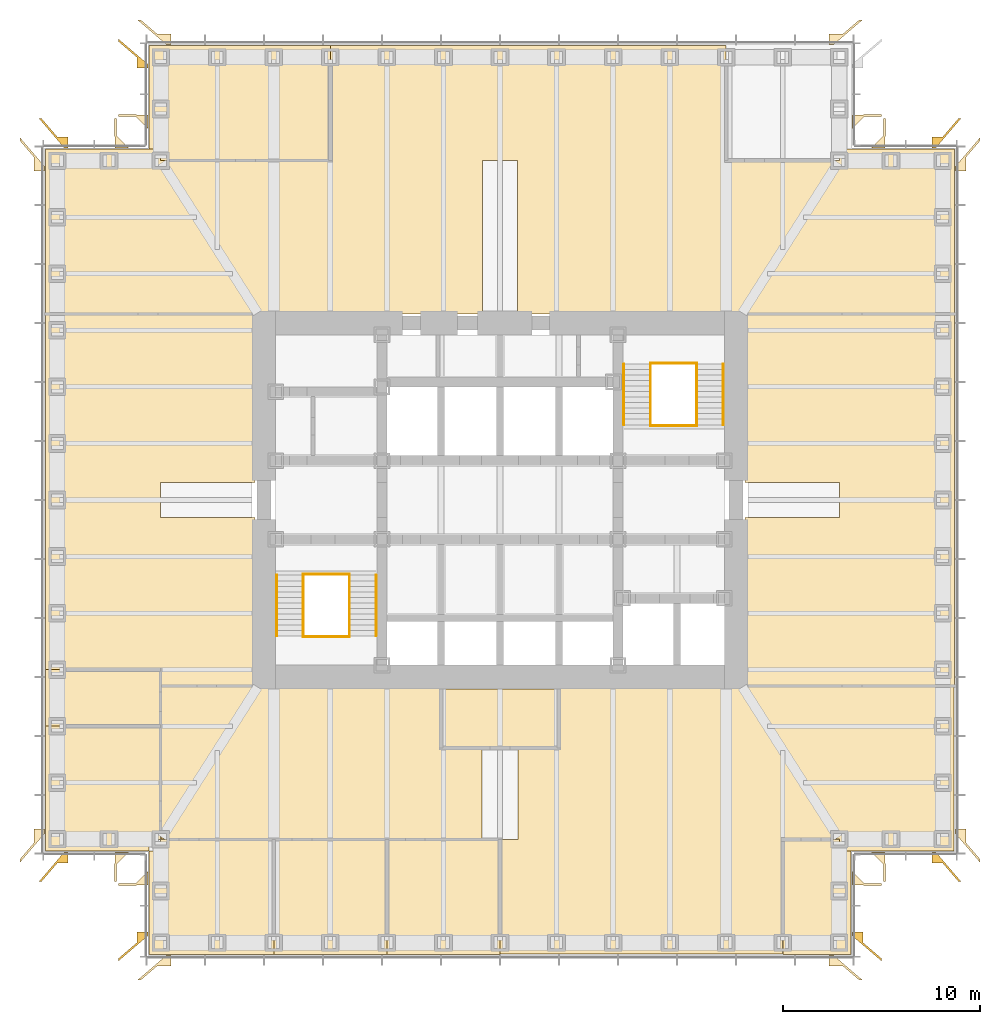
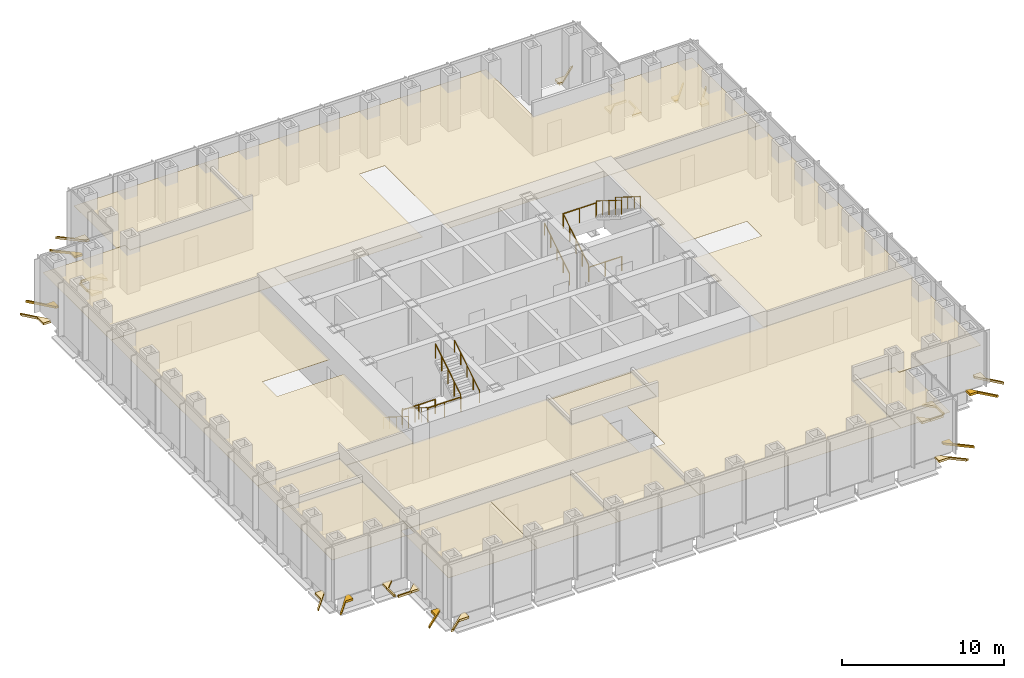
# One storey, part 16 of 17: 35 coverings, 12 railings.
"""IFC4 building model written with IfcOpenShell, lengths in metres."""

from ifc_helpers import new_model, si_unit, direction, frame, origin, origin_2d, place, context, subcontext, project, spatial, polyline, circle, outline, extrude, material, layer, layer_set, type_object, element, save


model = new_model("IFC4")

# Units and contexts
model_context = context("Model", 3, precision=1e-05, world=origin(), true_north=direction((0.0, 1.0)))
body_context = subcontext(model_context, "Body", "Model", "MODEL_VIEW")
ifc_project = project(units=[si_unit("LENGTHUNIT", "METRE"), si_unit("AREAUNIT", "SQUARE_METRE"), si_unit("VOLUMEUNIT", "CUBIC_METRE"), si_unit("PLANEANGLEUNIT", "RADIAN"), si_unit("MASSUNIT", "GRAM", prefix="KILO")], contexts=[model_context])

# Site, building, storey
site_placement = place(None, origin())
site = spatial("IfcSite", under=ifc_project, at=site_placement, CompositionType="ELEMENT")
building_placement = place(site_placement, origin())
building = spatial("IfcBuilding", under=site, at=building_placement, Name="Daluyong Arena Tower", CompositionType="ELEMENT")
storey_placement = place(building_placement, frame((0.0, 0.0, 112.300048828125)))
storey = spatial("IfcBuildingStorey", under=building, at=storey_placement, Name="L24", CompositionType="ELEMENT", Elevation=112.300048828125)

# Coverings
ifc_material_1 = material(Name="Mineral fibre ceiling tile", Category="gypsum board")
ifc_layer_1 = layer(ifc_material_1, 0.02001953125)
ifc_layer_set_1 = layer_set([ifc_layer_1], Name="Mineral fibre ceiling tile")
covering_type_1 = type_object("IfcCoveringType", Name="Office ceiling", PredefinedType="CEILING", material=ifc_layer_set_1)
covering_1_placement = place(storey_placement, frame((0.0, 0.0, 2.89990234375)))
element("IfcCovering", 1, at=covering_1_placement, inside=storey, type_object=covering_type_1, Name="ceiling L24-01", PredefinedType="CEILING", context=body_context, shape_type="SweptSolid", body=[
    extrude(outline(polyline([(38.14990234375, 62.14990234375), (38.14990234375, 56.89990234375), (44.5, 56.89990234375), (44.5, 62.75), (38.75, 62.75), (38.75, 62.14990234375), (38.14990234375, 62.14990234375)])), origin(), (0.0, 0.0, 1.0), 0.02001953125),
])
covering_2_placement = place(storey_placement, frame((0.0, 0.0, 2.89990234375)))
element("IfcCovering", 2, at=covering_2_placement, inside=storey, type_object=covering_type_1, Name="ceiling L24-02", PredefinedType="CEILING", context=body_context, shape_type="SweptSolid", body=[
    extrude(outline(polyline([(44.5, 62.75), (44.5, 56.89990234375), (50.25, 56.89990234375), (50.25, 62.75), (44.5, 62.75)])), origin(), (0.0, 0.0, 1.0), 0.02001953125),
])
covering_3_placement = place(storey_placement, frame((0.0, 0.0, 2.89990234375)))
element("IfcCovering", 3, at=covering_3_placement, inside=storey, type_object=covering_type_1, Name="ceiling L24-03", PredefinedType="CEILING", context=body_context, shape_type="SweptSolid", body=[
    extrude(outline(polyline([(50.25, 62.75), (50.25, 56.89990234375), (56.0, 56.89990234375), (56.0, 62.75), (50.25, 62.75)])), origin(), (0.0, 0.0, 1.0), 0.02001953125),
])
covering_4_placement = place(storey_placement, frame((0.0, 0.0, 2.89990234375)))
element("IfcCovering", 4, at=covering_4_placement, inside=storey, type_object=covering_type_1, Name="ceiling L24-04", PredefinedType="CEILING", context=body_context, shape_type="SweptSolid", body=[
    extrude(outline(polyline([(73.85009765625, 56.89990234375), (73.85009765625, 62.14990234375), (73.25, 62.14990234375), (73.25, 62.75), (70.375, 62.75), (70.375, 56.89990234375), (73.85009765625, 56.89990234375)])), origin(), (0.0, 0.0, 1.0), 0.02001953125),
])
covering_5_placement = place(storey_placement, frame((0.0, 0.0, 2.89990234375)))
element("IfcCovering", 5, at=covering_5_placement, inside=storey, type_object=covering_type_1, Name="ceiling L24-05", PredefinedType="CEILING", context=body_context, shape_type="SweptSolid", body=[
    extrude(outline(polyline([(47.375, 97.25), (47.375, 103.10009765625), (38.14990234375, 103.10009765625), (38.14990234375, 97.85009765625), (38.75, 97.85009765625), (38.75, 97.25), (47.375, 97.25)])), origin(), (0.0, 0.0, 1.0), 0.02001953125),
])
covering_6_placement = place(storey_placement, frame((0.0, 0.0, 2.89990234375)))
element("IfcCovering", 6, at=covering_6_placement, inside=storey, type_object=covering_type_1, Name="ceiling L24-07", PredefinedType="CEILING", context=body_context, shape_type="SweptSolid", body=[
    extrude(outline(polyline([(32.89990234375, 62.14990234375), (38.14990234375, 62.14990234375), (38.14990234375, 62.75), (38.75, 62.75), (38.75, 68.5), (32.89990234375, 68.5), (32.89990234375, 62.14990234375)])), origin(), (0.0, 0.0, 1.0), 0.02001953125),
])
covering_7_placement = place(storey_placement, frame((0.0, 0.0, 2.89990234375)))
element("IfcCovering", 7, at=covering_7_placement, inside=storey, type_object=covering_type_1, Name="ceiling L24-08", PredefinedType="CEILING", context=body_context, shape_type="SweptSolid", body=[
    extrude(outline(polyline([(38.75, 71.375), (32.89990234375, 71.375), (32.89990234375, 68.5), (38.75, 68.5), (38.75, 71.375)])), origin(), (0.0, 0.0, 1.0), 0.02001953125),
])
covering_8_placement = place(storey_placement, frame((0.0, 0.0, 2.89990234375)))
element("IfcCovering", 8, at=covering_8_placement, inside=storey, type_object=covering_type_1, Name="ceiling L24-09", PredefinedType="CEILING", context=body_context, shape_type="SweptSolid", body=[
    extrude(outline(polyline([(53.0, 67.39990234375), (59.0, 67.39990234375), (59.0, 70.39990234375), (53.0, 70.39990234375), (53.0, 67.39990234375)])), origin(), (0.0, 0.0, 1.0), 0.02001953125),
])
covering_9_placement = place(storey_placement, frame((0.0, 0.0, 2.89990234375)))
element("IfcCovering", 9, at=covering_9_placement, inside=storey, type_object=covering_type_1, Name="ceiling L24-14", PredefinedType="CEILING", context=body_context, shape_type="SweptSolid", body=[
    extrude(outline(polyline([(38.760009765625, 62.760009765625), (55.090087890625, 62.760009765625), (55.090087890625, 67.389892578125), (52.989990234375, 67.389892578125), (52.989990234375, 70.409912109375), (59.010009765625, 70.409912109375), (59.010009765625, 67.389892578125), (56.909912109375, 67.389892578125), (56.909912109375, 62.739990234375), (56.010009765625, 62.739990234375), (56.010009765625, 56.909912109375), (70.364990234375, 56.909912109375), (70.364990234375, 62.760009765625), (73.260009765625, 62.760009765625), (73.260009765625, 62.159912109375), (79.090087890625, 62.159912109375), (79.090087890625, 70.5400390625), (38.760009765625, 70.5400390625), (38.760009765625, 62.760009765625)])), origin(), (0.0, 0.0, 1.0), 0.02001953125),
])
covering_10_placement = place(storey_placement, frame((0.0, 0.0, 2.89990234375)))
element("IfcCovering", 10, at=covering_10_placement, inside=storey, type_object=covering_type_1, Name="ceiling L24-15", PredefinedType="CEILING", context=body_context, shape_type="SweptSolid", body=[
    extrude(outline(polyline([(79.10009765625, 70.550048828125), (79.10009765625, 89.449951171875), (68.449951171875, 89.449951171875), (68.449951171875, 80.89990234375), (73.25, 80.89990234375), (73.25, 79.10009765625), (68.449951171875, 79.10009765625), (68.449951171875, 70.550048828125), (79.10009765625, 70.550048828125)])), origin(), (0.0, 0.0, 1.0), 0.02001953125),
])
covering_11_placement = place(storey_placement, frame((0.0, 0.0, 2.89990234375)))
element("IfcCovering", 11, at=covering_11_placement, inside=storey, type_object=covering_type_1, Name="ceiling L24-16", PredefinedType="CEILING", context=body_context, shape_type="SweptSolid", body=[
    extrude(outline(polyline([(47.375, 103.10009765625), (47.375, 97.25), (38.75, 97.25), (38.75, 97.85009765625), (32.89990234375, 97.85009765625), (32.89990234375, 89.449951171875), (55.10009765625, 89.449951171875), (55.10009765625, 97.25), (56.89990234375, 97.25), (56.89990234375, 89.449951171875), (79.10009765625, 89.449951171875), (79.10009765625, 97.85009765625), (73.25, 97.85009765625), (73.25, 97.25), (67.5, 97.25), (67.5, 103.10009765625), (47.375, 103.10009765625)])), origin(), (0.0, 0.0, 1.0), 0.02001953125),
])
covering_12_placement = place(storey_placement, frame((0.0, 0.0, 2.89990234375)))
element("IfcCovering", 12, at=covering_12_placement, inside=storey, type_object=covering_type_1, Name="ceiling L24-17", PredefinedType="CEILING", context=body_context, shape_type="SweptSolid", body=[
    extrude(outline(polyline([(38.75, 71.375), (38.75, 70.550048828125), (43.550048828125, 70.550048828125), (43.550048828125, 79.10009765625), (38.75, 79.10009765625), (38.75, 80.89990234375), (43.550048828125, 80.89990234375), (43.550048828125, 89.449951171875), (32.89990234375, 89.449951171875), (32.89990234375, 71.375), (38.75, 71.375)])), origin(), (0.0, 0.0, 1.0), 0.02001953125),
])

# Railings
ifc_material_2 = material(Name="Stainless steel handrail", Category="steel")
railing_type_1 = type_object("IfcRailingType", Name="Stair handrail", PredefinedType="HANDRAIL", material=ifc_material_2)
railing_1_placement = place(storey_placement, frame((44.64990234375, 76.175048828125, 0.175048828125)))
element("IfcRailing", 13, at=railing_1_placement, inside=storey, type_object=railing_type_1, Name="exit stair A handrail L24", PredefinedType="HANDRAIL", context=body_context, shape_type="SweptSolid", body=[
    extrude(circle(Radius=0.02392578125, at=origin_2d()), frame((0.0, 0.0, 0.8759765625), z_axis=(0.0, -0.848028513186, 0.529950602248), x_axis=(1.0, 0.0, 0.0)), (0.0, 0.0, 1.0), 3.632080078125),
    extrude(circle(Radius=0.02099609375, at=origin_2d()), origin(), (0.0, 0.0, 1.0), 0.851806640625),
    extrude(circle(Radius=0.02099609375, at=origin_2d()), frame((0.0, -0.77001953125, 0.481201171875)), (0.0, 0.0, 1.0), 0.851806640625),
    extrude(circle(Radius=0.02099609375, at=origin_2d()), frame((0.0, -1.5400390625, 0.96240234375)), (0.0, 0.0, 1.0), 0.851806640625),
    extrude(circle(Radius=0.02099609375, at=origin_2d()), frame((0.0, -2.31005859375, 1.443603515625)), (0.0, 0.0, 1.0), 0.851806640625),
    extrude(circle(Radius=0.02099609375, at=origin_2d()), frame((0.0, -3.080078125, 1.9248046875)), (0.0, 0.0, 1.0), 0.851806640625),
])
railing_2_placement = place(storey_placement, frame((49.699951171875, 73.094970703125, 2.27490234375)))
element("IfcRailing", 14, at=railing_2_placement, inside=storey, type_object=railing_type_1, Name="exit stair A handrail L24", PredefinedType="HANDRAIL", context=body_context, shape_type="SweptSolid", body=[
    extrude(circle(Radius=0.02392578125, at=origin_2d()), frame((0.0, 0.0, 0.8759765625), z_axis=(0.0, 0.847998304005, 0.529998940003), x_axis=(-1.0, 0.0, 0.0)), (0.0, 0.0, 1.0), 3.632080078125),
    extrude(circle(Radius=0.02099609375, at=origin_2d()), origin(), (0.0, 0.0, 1.0), 0.851806640625),
    extrude(circle(Radius=0.02099609375, at=origin_2d()), frame((0.0, 0.77001953125, 0.481201171875)), (0.0, 0.0, 1.0), 0.851806640625),
    extrude(circle(Radius=0.02099609375, at=origin_2d()), frame((0.0, 1.5400390625, 0.96240234375)), (0.0, 0.0, 1.0), 0.851806640625),
    extrude(circle(Radius=0.02099609375, at=origin_2d()), frame((0.0, 2.31005859375, 1.44384765625)), (0.0, 0.0, 1.0), 0.851806640625),
    extrude(circle(Radius=0.02099609375, at=origin_2d()), frame((0.0, 3.080078125, 1.925048828125)), (0.0, 0.0, 1.0), 0.851806640625),
])
railing_3_placement = place(storey_placement, frame((62.300048828125, 83.824951171875, 0.175048828125)))
element("IfcRailing", 15, at=railing_3_placement, inside=storey, type_object=railing_type_1, Name="exit stair B handrail L24", PredefinedType="HANDRAIL", context=body_context, shape_type="SweptSolid", body=[
    extrude(circle(Radius=0.02392578125, at=origin_2d()), frame((0.0, 0.0, 0.8759765625), z_axis=(0.0, 0.848028513186, 0.529950602248), x_axis=(-1.0, 0.0, 0.0)), (0.0, 0.0, 1.0), 3.632080078125),
    extrude(circle(Radius=0.02099609375, at=origin_2d()), origin(), (0.0, 0.0, 1.0), 0.851806640625),
    extrude(circle(Radius=0.02099609375, at=origin_2d()), frame((0.0, 0.77001953125, 0.481201171875)), (0.0, 0.0, 1.0), 0.851806640625),
    extrude(circle(Radius=0.02099609375, at=origin_2d()), frame((0.0, 1.5400390625, 0.96240234375)), (0.0, 0.0, 1.0), 0.851806640625),
    extrude(circle(Radius=0.02099609375, at=origin_2d()), frame((0.0, 2.31005859375, 1.443603515625)), (0.0, 0.0, 1.0), 0.851806640625),
    extrude(circle(Radius=0.02099609375, at=origin_2d()), frame((0.0, 3.080078125, 1.9248046875)), (0.0, 0.0, 1.0), 0.851806640625),
])
railing_4_placement = place(storey_placement, frame((67.35009765625, 86.905029296875, 2.27490234375)))
element("IfcRailing", 16, at=railing_4_placement, inside=storey, type_object=railing_type_1, Name="exit stair B handrail L24", PredefinedType="HANDRAIL", context=body_context, shape_type="SweptSolid", body=[
    extrude(circle(Radius=0.02392578125, at=origin_2d()), frame((0.0, 0.0, 0.8759765625), z_axis=(0.0, -0.847998304005, 0.529998940003), x_axis=(1.0, 0.0, 0.0)), (0.0, 0.0, 1.0), 3.632080078125),
    extrude(circle(Radius=0.02099609375, at=origin_2d()), origin(), (0.0, 0.0, 1.0), 0.851806640625),
    extrude(circle(Radius=0.02099609375, at=origin_2d()), frame((0.0, -0.77001953125, 0.481201171875)), (0.0, 0.0, 1.0), 0.851806640625),
    extrude(circle(Radius=0.02099609375, at=origin_2d()), frame((0.0, -1.5400390625, 0.96240234375)), (0.0, 0.0, 1.0), 0.851806640625),
    extrude(circle(Radius=0.02099609375, at=origin_2d()), frame((0.0, -2.31005859375, 1.44384765625)), (0.0, 0.0, 1.0), 0.851806640625),
    extrude(circle(Radius=0.02099609375, at=origin_2d()), frame((0.0, -3.080078125, 1.925048828125)), (0.0, 0.0, 1.0), 0.851806640625),
])
ifc_material_3 = material(Name="Steel balustrade", Category="steel")
railing_type_2 = type_object("IfcRailingType", Name="Stair well guard 1100", PredefinedType="GUARDRAIL", material=ifc_material_3)
railing_5_placement = place(storey_placement, frame((46.0, 76.175048828125, 0.175048828125)))
element("IfcRailing", 17, at=railing_5_placement, inside=storey, type_object=railing_type_2, Name="exit stair A well guard L24", PredefinedType="GUARDRAIL", context=body_context, shape_type="SweptSolid", body=[
    extrude(circle(Radius=0.02392578125, at=origin_2d()), frame((0.0, 0.0, 1.076171875), z_axis=(0.0, -0.848028513186, 0.529950602248), x_axis=(1.0, 0.0, 0.0)), (0.0, 0.0, 1.0), 3.632080078125),
    extrude(circle(Radius=0.02099609375, at=origin_2d()), origin(), (0.0, 0.0, 1.0), 1.052001953125),
    extrude(circle(Radius=0.02099609375, at=origin_2d()), frame((0.0, -0.77001953125, 0.481201171875)), (0.0, 0.0, 1.0), 1.052001953125),
    extrude(circle(Radius=0.02099609375, at=origin_2d()), frame((0.0, -1.5400390625, 0.96240234375)), (0.0, 0.0, 1.0), 1.052001953125),
    extrude(circle(Radius=0.02099609375, at=origin_2d()), frame((0.0, -2.31005859375, 1.443603515625)), (0.0, 0.0, 1.0), 1.052001953125),
    extrude(circle(Radius=0.02099609375, at=origin_2d()), frame((0.0, -3.080078125, 1.9248046875)), (0.0, 0.0, 1.0), 1.052001953125),
])
railing_6_placement = place(storey_placement, frame((48.35009765625, 73.094970703125, 2.27490234375)))
element("IfcRailing", 18, at=railing_6_placement, inside=storey, type_object=railing_type_2, Name="exit stair A well guard L24", PredefinedType="GUARDRAIL", context=body_context, shape_type="SweptSolid", body=[
    extrude(circle(Radius=0.02392578125, at=origin_2d()), frame((0.0, 0.0, 1.076171875), z_axis=(0.0, 0.847998304005, 0.529998940003), x_axis=(-1.0, 0.0, 0.0)), (0.0, 0.0, 1.0), 3.632080078125),
    extrude(circle(Radius=0.02099609375, at=origin_2d()), origin(), (0.0, 0.0, 1.0), 1.052001953125),
    extrude(circle(Radius=0.02099609375, at=origin_2d()), frame((0.0, 0.77001953125, 0.481201171875)), (0.0, 0.0, 1.0), 1.052001953125),
    extrude(circle(Radius=0.02099609375, at=origin_2d()), frame((0.0, 1.5400390625, 0.96240234375)), (0.0, 0.0, 1.0), 1.052001953125),
    extrude(circle(Radius=0.02099609375, at=origin_2d()), frame((0.0, 2.31005859375, 1.44384765625)), (0.0, 0.0, 1.0), 1.052001953125),
    extrude(circle(Radius=0.02099609375, at=origin_2d()), frame((0.0, 3.080078125, 1.925048828125)), (0.0, 0.0, 1.0), 1.052001953125),
])
for number, where, name in (
    (19, (46.0, 73.044921875, 2.099853515625), "exit stair A landing guard L24"),
    (20, (46.0, 76.22509765625, 0.0), "exit stair A floor landing guard L24"),
):
    element("IfcRailing", number, at=place(storey_placement, frame(where)), inside=storey, type_object=railing_type_2, Name=name, PredefinedType="GUARDRAIL", context=body_context, shape_type="SweptSolid", body=[
        extrude(circle(Radius=0.02392578125, at=origin_2d()), frame((0.0, 0.0, 1.076171875), z_axis=(1.0, 0.0, 0.0), x_axis=(0.0, 1.0, 0.0)), (0.0, 0.0, 1.0), 2.35009765625),
        extrude(circle(Radius=0.02099609375, at=origin_2d()), origin(), (0.0, 0.0, 1.0), 1.052001953125),
        extrude(circle(Radius=0.02099609375, at=origin_2d()), frame((1.175048828125, 0.0, 0.0)), (0.0, 0.0, 1.0), 1.052001953125),
        extrude(circle(Radius=0.02099609375, at=origin_2d()), frame((2.35009765625, 0.0, 0.0)), (0.0, 0.0, 1.0), 1.052001953125),
    ])
railing_7_placement = place(storey_placement, frame((63.64990234375, 83.824951171875, 0.175048828125)))
element("IfcRailing", 21, at=railing_7_placement, inside=storey, type_object=railing_type_2, Name="exit stair B well guard L24", PredefinedType="GUARDRAIL", context=body_context, shape_type="SweptSolid", body=[
    extrude(circle(Radius=0.02392578125, at=origin_2d()), frame((0.0, 0.0, 1.076171875), z_axis=(0.0, 0.848028513186, 0.529950602248), x_axis=(-1.0, 0.0, 0.0)), (0.0, 0.0, 1.0), 3.632080078125),
    extrude(circle(Radius=0.02099609375, at=origin_2d()), origin(), (0.0, 0.0, 1.0), 1.052001953125),
    extrude(circle(Radius=0.02099609375, at=origin_2d()), frame((0.0, 0.77001953125, 0.481201171875)), (0.0, 0.0, 1.0), 1.052001953125),
    extrude(circle(Radius=0.02099609375, at=origin_2d()), frame((0.0, 1.5400390625, 0.96240234375)), (0.0, 0.0, 1.0), 1.052001953125),
    extrude(circle(Radius=0.02099609375, at=origin_2d()), frame((0.0, 2.31005859375, 1.443603515625)), (0.0, 0.0, 1.0), 1.052001953125),
    extrude(circle(Radius=0.02099609375, at=origin_2d()), frame((0.0, 3.080078125, 1.9248046875)), (0.0, 0.0, 1.0), 1.052001953125),
])
railing_8_placement = place(storey_placement, frame((66.0, 86.905029296875, 2.27490234375)))
element("IfcRailing", 22, at=railing_8_placement, inside=storey, type_object=railing_type_2, Name="exit stair B well guard L24", PredefinedType="GUARDRAIL", context=body_context, shape_type="SweptSolid", body=[
    extrude(circle(Radius=0.02392578125, at=origin_2d()), frame((0.0, 0.0, 1.076171875), z_axis=(0.0, -0.847998304005, 0.529998940003), x_axis=(1.0, 0.0, 0.0)), (0.0, 0.0, 1.0), 3.632080078125),
    extrude(circle(Radius=0.02099609375, at=origin_2d()), origin(), (0.0, 0.0, 1.0), 1.052001953125),
    extrude(circle(Radius=0.02099609375, at=origin_2d()), frame((0.0, -0.77001953125, 0.481201171875)), (0.0, 0.0, 1.0), 1.052001953125),
    extrude(circle(Radius=0.02099609375, at=origin_2d()), frame((0.0, -1.5400390625, 0.96240234375)), (0.0, 0.0, 1.0), 1.052001953125),
    extrude(circle(Radius=0.02099609375, at=origin_2d()), frame((0.0, -2.31005859375, 1.44384765625)), (0.0, 0.0, 1.0), 1.052001953125),
    extrude(circle(Radius=0.02099609375, at=origin_2d()), frame((0.0, -3.080078125, 1.925048828125)), (0.0, 0.0, 1.0), 1.052001953125),
])
for number, where, name in (
    (23, (63.64990234375, 86.955078125, 2.099853515625), "exit stair B landing guard L24"),
    (24, (63.64990234375, 83.77490234375, 0.0), "exit stair B floor landing guard L24"),
):
    element("IfcRailing", number, at=place(storey_placement, frame(where)), inside=storey, type_object=railing_type_2, Name=name, PredefinedType="GUARDRAIL", context=body_context, shape_type="SweptSolid", body=[
        extrude(circle(Radius=0.02392578125, at=origin_2d()), frame((0.0, 0.0, 1.076171875), z_axis=(1.0, 0.0, 0.0), x_axis=(0.0, 1.0, 0.0)), (0.0, 0.0, 1.0), 2.35009765625),
        extrude(circle(Radius=0.02099609375, at=origin_2d()), origin(), (0.0, 0.0, 1.0), 1.052001953125),
        extrude(circle(Radius=0.02099609375, at=origin_2d()), frame((1.175048828125, 0.0, 0.0)), (0.0, 0.0, 1.0), 1.052001953125),
        extrude(circle(Radius=0.02099609375, at=origin_2d()), frame((2.35009765625, 0.0, 0.0)), (0.0, 0.0, 1.0), 1.052001953125),
    ])

# Coverings
ifc_material_4 = material(Name="Bronze anodised aluminium capping", Category="aluminium")
ifc_layer_2 = layer(ifc_material_4, 0.159912109375)
ifc_layer_set_2 = layer_set([ifc_layer_2], Name="Bronze anodised aluminium capping")
covering_type_2 = type_object("IfcCoveringType", Name="Transition column casing cap 160", PredefinedType="ROOFING", material=ifc_layer_set_2)
covering_13_placement = place(storey_placement, frame((0.0, 0.0, -0.16015625)))
element("IfcCovering", 25, at=covering_13_placement, inside=storey, type_object=covering_type_2, Name="transition column casing cap L23 1", PredefinedType="ROOFING", context=body_context, shape_type="SweptSolid", body=[
    extrude(outline(polyline([(37.550048828125, 58.029052734375), (38.10009765625, 58.029052734375), (38.10009765625, 57.844482421875), (36.60009765625, 56.55859375), (36.60009765625, 56.6904296875), (37.550048828125, 57.504638671875), (37.550048828125, 58.029052734375)])), origin(), (0.0, 0.0, 1.0), 0.16015625),
])
covering_14_placement = place(storey_placement, frame((0.0, 0.0, -0.16015625)))
element("IfcCovering", 26, at=covering_14_placement, inside=storey, type_object=covering_type_2, Name="transition column casing cap L23 2", PredefinedType="ROOFING", context=body_context, shape_type="SweptSolid", body=[
    extrude(outline(polyline([(39.265380859375, 56.300048828125), (38.555419921875, 56.300048828125), (37.73876953125, 55.60009765625), (37.585205078125, 55.60009765625), (39.04345703125, 56.85009765625), (39.265380859375, 56.85009765625), (39.265380859375, 56.300048828125)])), origin(), (0.0, 0.0, 1.0), 0.16015625),
])
covering_15_placement = place(storey_placement, frame((0.0, 0.0, -0.16015625)))
element("IfcCovering", 27, at=covering_15_placement, inside=storey, type_object=covering_type_2, Name="transition column casing cap L23 1", PredefinedType="ROOFING", context=body_context, shape_type="SweptSolid", body=[
    extrude(outline(polyline([(74.414794921875, 55.60009765625), (74.26123046875, 55.60009765625), (73.444580078125, 56.300048828125), (72.734619140625, 56.300048828125), (72.734619140625, 56.85009765625), (72.95654296875, 56.85009765625), (74.414794921875, 55.60009765625)])), origin(), (0.0, 0.0, 1.0), 0.16015625),
])
covering_16_placement = place(storey_placement, frame((0.0, 0.0, -0.16015625)))
element("IfcCovering", 28, at=covering_16_placement, inside=storey, type_object=covering_type_2, Name="transition column casing cap L23 2", PredefinedType="ROOFING", context=body_context, shape_type="SweptSolid", body=[
    extrude(outline(polyline([(74.449951171875, 58.029052734375), (74.449951171875, 57.504638671875), (75.39990234375, 56.6904296875), (75.39990234375, 56.55859375), (73.89990234375, 57.844482421875), (73.89990234375, 58.029052734375), (74.449951171875, 58.029052734375)])), origin(), (0.0, 0.0, 1.0), 0.16015625),
])
covering_17_placement = place(storey_placement, frame((0.0, 0.0, -0.16015625)))
element("IfcCovering", 29, at=covering_17_placement, inside=storey, type_object=covering_type_2, Name="transition column casing cap L23 1", PredefinedType="ROOFING", context=body_context, shape_type="SweptSolid", body=[
    extrude(outline(polyline([(74.449951171875, 60.43798828125), (74.449951171875, 60.427978515625), (73.89990234375, 60.427978515625), (73.89990234375, 61.12939453125), (74.529296875, 60.5), (75.39990234375, 60.5), (75.39990234375, 60.39990234375), (74.48779296875, 60.39990234375), (74.449951171875, 60.43798828125)])), origin(), (0.0, 0.0, 1.0), 0.16015625),
])
covering_18_placement = place(storey_placement, frame((0.0, 0.0, -0.16015625)))
element("IfcCovering", 30, at=covering_18_placement, inside=storey, type_object=covering_type_2, Name="transition column casing cap L23 2", PredefinedType="ROOFING", context=body_context, shape_type="SweptSolid", body=[
    extrude(outline(polyline([(75.572021484375, 61.550048828125), (75.56201171875, 61.550048828125), (75.60009765625, 61.51220703125), (75.60009765625, 60.60009765625), (75.5, 60.60009765625), (75.5, 61.470703125), (74.87060546875, 62.10009765625), (75.572021484375, 62.10009765625), (75.572021484375, 61.550048828125)])), origin(), (0.0, 0.0, 1.0), 0.16015625),
])
covering_19_placement = place(storey_placement, frame((0.0, 0.0, -0.16015625)))
element("IfcCovering", 31, at=covering_19_placement, inside=storey, type_object=covering_type_2, Name="transition column casing cap L23 1", PredefinedType="ROOFING", context=body_context, shape_type="SweptSolid", body=[
    extrude(outline(polyline([(79.44140625, 60.60009765625), (79.3095703125, 60.60009765625), (78.495361328125, 61.550048828125), (77.970947265625, 61.550048828125), (77.970947265625, 62.10009765625), (78.155517578125, 62.10009765625), (79.44140625, 60.60009765625)])), origin(), (0.0, 0.0, 1.0), 0.16015625),
])
covering_20_placement = place(storey_placement, frame((0.0, 0.0, -0.16015625)))
element("IfcCovering", 32, at=covering_20_placement, inside=storey, type_object=covering_type_2, Name="transition column casing cap L23 2", PredefinedType="ROOFING", context=body_context, shape_type="SweptSolid", body=[
    extrude(outline(polyline([(79.699951171875, 63.265380859375), (79.699951171875, 62.555419921875), (80.39990234375, 61.73876953125), (80.39990234375, 61.585205078125), (79.14990234375, 63.04345703125), (79.14990234375, 63.265380859375), (79.699951171875, 63.265380859375)])), origin(), (0.0, 0.0, 1.0), 0.16015625),
])
covering_21_placement = place(storey_placement, frame((0.0, 0.0, -0.16015625)))
element("IfcCovering", 33, at=covering_21_placement, inside=storey, type_object=covering_type_2, Name="transition column casing cap L23 1", PredefinedType="ROOFING", context=body_context, shape_type="SweptSolid", body=[
    extrude(outline(polyline([(77.970947265625, 98.449951171875), (78.495361328125, 98.449951171875), (79.3095703125, 99.39990234375), (79.44140625, 99.39990234375), (78.155517578125, 97.89990234375), (77.970947265625, 97.89990234375), (77.970947265625, 98.449951171875)])), origin(), (0.0, 0.0, 1.0), 0.16015625),
])
covering_22_placement = place(storey_placement, frame((0.0, 0.0, -0.16015625)))
element("IfcCovering", 34, at=covering_22_placement, inside=storey, type_object=covering_type_2, Name="transition column casing cap L23 2", PredefinedType="ROOFING", context=body_context, shape_type="SweptSolid", body=[
    extrude(outline(polyline([(79.699951171875, 96.734619140625), (79.14990234375, 96.734619140625), (79.14990234375, 96.95654296875), (80.39990234375, 98.414794921875), (80.39990234375, 98.26123046875), (79.699951171875, 97.444580078125), (79.699951171875, 96.734619140625)])), origin(), (0.0, 0.0, 1.0), 0.16015625),
])
covering_23_placement = place(storey_placement, frame((0.0, 0.0, -0.16015625)))
element("IfcCovering", 35, at=covering_23_placement, inside=storey, type_object=covering_type_2, Name="transition column casing cap L23 1", PredefinedType="ROOFING", context=body_context, shape_type="SweptSolid", body=[
    extrude(outline(polyline([(74.449951171875, 99.572021484375), (74.449951171875, 99.56201171875), (74.48779296875, 99.60009765625), (75.39990234375, 99.60009765625), (75.39990234375, 99.5), (74.529296875, 99.5), (73.89990234375, 98.87060546875), (73.89990234375, 99.572021484375), (74.449951171875, 99.572021484375)])), origin(), (0.0, 0.0, 1.0), 0.16015625),
])
covering_24_placement = place(storey_placement, frame((0.0, 0.0, -0.16015625)))
element("IfcCovering", 36, at=covering_24_placement, inside=storey, type_object=covering_type_2, Name="transition column casing cap L23 2", PredefinedType="ROOFING", context=body_context, shape_type="SweptSolid", body=[
    extrude(outline(polyline([(75.56201171875, 98.449951171875), (75.572021484375, 98.449951171875), (75.572021484375, 97.89990234375), (74.87060546875, 97.89990234375), (75.5, 98.529296875), (75.5, 99.39990234375), (75.60009765625, 99.39990234375), (75.60009765625, 98.48779296875), (75.56201171875, 98.449951171875)])), origin(), (0.0, 0.0, 1.0), 0.16015625),
])
covering_25_placement = place(storey_placement, frame((0.0, 0.0, -0.16015625)))
element("IfcCovering", 37, at=covering_25_placement, inside=storey, type_object=covering_type_2, Name="transition column casing cap L23 1", PredefinedType="ROOFING", context=body_context, shape_type="SweptSolid", body=[
    extrude(outline(polyline([(72.734619140625, 103.699951171875), (73.444580078125, 103.699951171875), (74.26123046875, 104.39990234375), (74.414794921875, 104.39990234375), (72.95654296875, 103.14990234375), (72.734619140625, 103.14990234375), (72.734619140625, 103.699951171875)])), origin(), (0.0, 0.0, 1.0), 0.16015625),
])
covering_26_placement = place(storey_placement, frame((0.0, 0.0, -0.16015625)))
element("IfcCovering", 38, at=covering_26_placement, inside=storey, type_object=covering_type_2, Name="transition column casing cap L23 1", PredefinedType="ROOFING", context=body_context, shape_type="SweptSolid", body=[
    extrude(outline(polyline([(37.550048828125, 101.970947265625), (37.550048828125, 102.495361328125), (36.60009765625, 103.3095703125), (36.60009765625, 103.44140625), (38.10009765625, 102.155517578125), (38.10009765625, 101.970947265625), (37.550048828125, 101.970947265625)])), origin(), (0.0, 0.0, 1.0), 0.16015625),
])
covering_27_placement = place(storey_placement, frame((0.0, 0.0, -0.16015625)))
element("IfcCovering", 39, at=covering_27_placement, inside=storey, type_object=covering_type_2, Name="transition column casing cap L23 2", PredefinedType="ROOFING", context=body_context, shape_type="SweptSolid", body=[
    extrude(outline(polyline([(39.265380859375, 103.699951171875), (39.265380859375, 103.14990234375), (39.04345703125, 103.14990234375), (37.585205078125, 104.39990234375), (37.73876953125, 104.39990234375), (38.555419921875, 103.699951171875), (39.265380859375, 103.699951171875)])), origin(), (0.0, 0.0, 1.0), 0.16015625),
])
covering_28_placement = place(storey_placement, frame((0.0, 0.0, -0.16015625)))
element("IfcCovering", 40, at=covering_28_placement, inside=storey, type_object=covering_type_2, Name="transition column casing cap L23 1", PredefinedType="ROOFING", context=body_context, shape_type="SweptSolid", body=[
    extrude(outline(polyline([(36.43798828125, 98.449951171875), (36.39990234375, 98.48779296875), (36.39990234375, 99.39990234375), (36.5, 99.39990234375), (36.5, 98.529296875), (37.12939453125, 97.89990234375), (36.427978515625, 97.89990234375), (36.427978515625, 98.449951171875), (36.43798828125, 98.449951171875)])), origin(), (0.0, 0.0, 1.0), 0.16015625),
])
covering_29_placement = place(storey_placement, frame((0.0, 0.0, -0.16015625)))
element("IfcCovering", 41, at=covering_29_placement, inside=storey, type_object=covering_type_2, Name="transition column casing cap L23 2", PredefinedType="ROOFING", context=body_context, shape_type="SweptSolid", body=[
    extrude(outline(polyline([(37.550048828125, 99.56201171875), (37.550048828125, 99.572021484375), (38.10009765625, 99.572021484375), (38.10009765625, 98.87060546875), (37.470703125, 99.5), (36.60009765625, 99.5), (36.60009765625, 99.60009765625), (37.51220703125, 99.60009765625), (37.550048828125, 99.56201171875)])), origin(), (0.0, 0.0, 1.0), 0.16015625),
])
covering_30_placement = place(storey_placement, frame((0.0, 0.0, -0.16015625)))
element("IfcCovering", 42, at=covering_30_placement, inside=storey, type_object=covering_type_2, Name="transition column casing cap L23 1", PredefinedType="ROOFING", context=body_context, shape_type="SweptSolid", body=[
    extrude(outline(polyline([(32.300048828125, 96.734619140625), (32.300048828125, 97.444580078125), (31.60009765625, 98.26123046875), (31.60009765625, 98.414794921875), (32.85009765625, 96.95654296875), (32.85009765625, 96.734619140625), (32.300048828125, 96.734619140625)])), origin(), (0.0, 0.0, 1.0), 0.16015625),
])
covering_31_placement = place(storey_placement, frame((0.0, 0.0, -0.16015625)))
element("IfcCovering", 43, at=covering_31_placement, inside=storey, type_object=covering_type_2, Name="transition column casing cap L23 2", PredefinedType="ROOFING", context=body_context, shape_type="SweptSolid", body=[
    extrude(outline(polyline([(34.029052734375, 98.449951171875), (34.029052734375, 97.89990234375), (33.844482421875, 97.89990234375), (32.55859375, 99.39990234375), (32.6904296875, 99.39990234375), (33.504638671875, 98.449951171875), (34.029052734375, 98.449951171875)])), origin(), (0.0, 0.0, 1.0), 0.16015625),
])
covering_32_placement = place(storey_placement, frame((0.0, 0.0, -0.16015625)))
element("IfcCovering", 44, at=covering_32_placement, inside=storey, type_object=covering_type_2, Name="transition column casing cap L23 1", PredefinedType="ROOFING", context=body_context, shape_type="SweptSolid", body=[
    extrude(outline(polyline([(32.300048828125, 63.265380859375), (32.85009765625, 63.265380859375), (32.85009765625, 63.04345703125), (31.60009765625, 61.585205078125), (31.60009765625, 61.73876953125), (32.300048828125, 62.555419921875), (32.300048828125, 63.265380859375)])), origin(), (0.0, 0.0, 1.0), 0.16015625),
])
covering_33_placement = place(storey_placement, frame((0.0, 0.0, -0.16015625)))
element("IfcCovering", 45, at=covering_33_placement, inside=storey, type_object=covering_type_2, Name="transition column casing cap L23 2", PredefinedType="ROOFING", context=body_context, shape_type="SweptSolid", body=[
    extrude(outline(polyline([(34.029052734375, 61.550048828125), (33.504638671875, 61.550048828125), (32.6904296875, 60.60009765625), (32.55859375, 60.60009765625), (33.844482421875, 62.10009765625), (34.029052734375, 62.10009765625), (34.029052734375, 61.550048828125)])), origin(), (0.0, 0.0, 1.0), 0.16015625),
])
covering_34_placement = place(storey_placement, frame((0.0, 0.0, -0.16015625)))
element("IfcCovering", 46, at=covering_34_placement, inside=storey, type_object=covering_type_2, Name="transition column casing cap L23 1", PredefinedType="ROOFING", context=body_context, shape_type="SweptSolid", body=[
    extrude(outline(polyline([(36.43798828125, 61.550048828125), (36.427978515625, 61.550048828125), (36.427978515625, 62.10009765625), (37.12939453125, 62.10009765625), (36.5, 61.470703125), (36.5, 60.60009765625), (36.39990234375, 60.60009765625), (36.39990234375, 61.51220703125), (36.43798828125, 61.550048828125)])), origin(), (0.0, 0.0, 1.0), 0.16015625),
])
covering_35_placement = place(storey_placement, frame((0.0, 0.0, -0.16015625)))
element("IfcCovering", 47, at=covering_35_placement, inside=storey, type_object=covering_type_2, Name="transition column casing cap L23 2", PredefinedType="ROOFING", context=body_context, shape_type="SweptSolid", body=[
    extrude(outline(polyline([(38.10009765625, 61.12939453125), (38.10009765625, 60.427978515625), (37.550048828125, 60.427978515625), (37.550048828125, 60.43798828125), (37.51220703125, 60.39990234375), (36.60009765625, 60.39990234375), (36.60009765625, 60.5), (37.470703125, 60.5), (38.10009765625, 61.12939453125)])), origin(), (0.0, 0.0, 1.0), 0.16015625),
])

save(model, "model.ifc")
